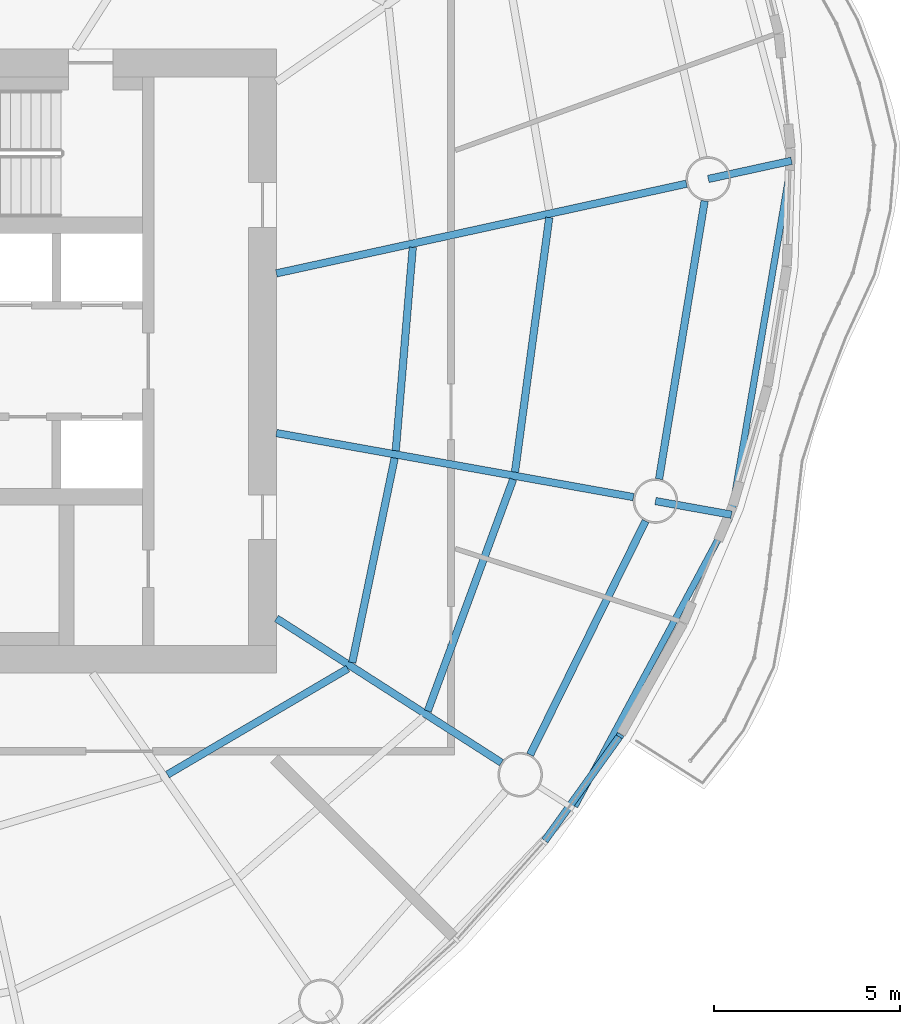
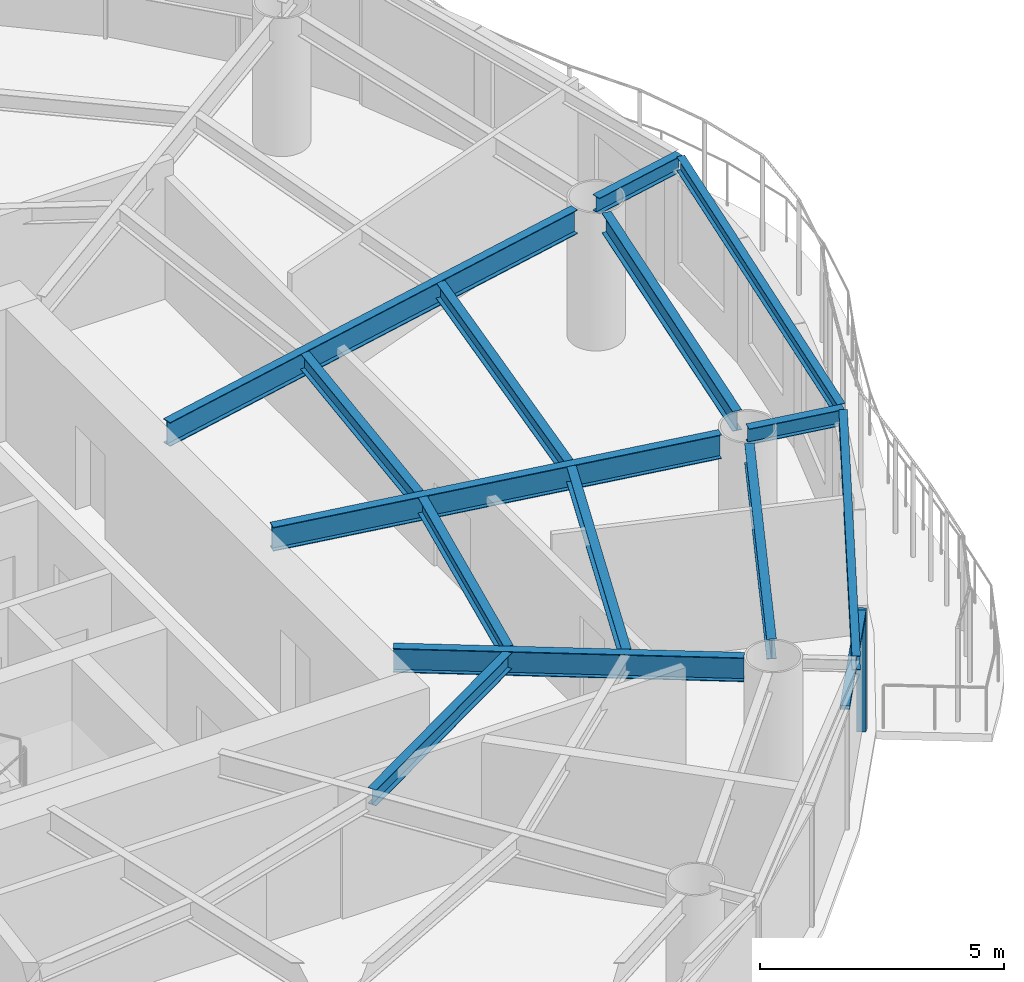
# One storey, part 4 of 14: 14 beams, 2 members, 1 element without a shape of its own.
"""IFC4 building model written with IfcOpenShell, lengths in metres."""

from ifc_helpers import new_model, si_unit, direction, frame, origin, origin_2d, place, context, subcontext, project, spatial, rectangle, i_section, extrude, material, material_profile, profile_set, type_object, element, aggregate, save


model = new_model("IFC4")

# Units and contexts
model_context = context("Model", 3, precision=1e-05, world=origin(), true_north=direction((0.0, 1.0)))
body_context = subcontext(model_context, "Body", "Model", "MODEL_VIEW")
ifc_project = project(units=[si_unit("LENGTHUNIT", "METRE"), si_unit("AREAUNIT", "SQUARE_METRE"), si_unit("VOLUMEUNIT", "CUBIC_METRE"), si_unit("PLANEANGLEUNIT", "RADIAN"), si_unit("MASSUNIT", "GRAM", prefix="KILO")], contexts=[model_context])

# Site, building, storey
site_placement = place(None, origin())
site = spatial("IfcSite", under=ifc_project, at=site_placement, CompositionType="ELEMENT")
building_placement = place(site_placement, origin())
building = spatial("IfcBuilding", under=site, at=building_placement, Name="Vermilion Reach Broadcast Tower", CompositionType="ELEMENT")
storey_placement = place(building_placement, frame((0.0, 0.0, 213.699951171875)))
storey = spatial("IfcBuildingStorey", under=building, at=storey_placement, Name="L52", CompositionType="ELEMENT", Elevation=213.699951171875)

# Beams
ifc_material_1 = material(Name="Steel S355J2", Category="steel")
ifc_material_profile_1 = material_profile(ifc_material_1, i_section(OverallWidth=0.175048828125, OverallDepth=0.35009765625, WebThickness=0.007080078125, FlangeThickness=0.010986328125, at=origin_2d()), Name="S355J2 HN 350x175x7x11")
ifc_profile_set_1 = profile_set([ifc_material_profile_1], Name="Steel S355J2")
beam_type_1 = type_object("IfcBeamType", Name="EB4 HN 350x175x7x11", PredefinedType="BEAM", material=ifc_profile_set_1)
beam_1_placement = place(storey_placement, frame((12.82958984375, -11.9853515625, 3.275146484375), z_axis=(0.473191983664, 0.880959333111, 0.0), x_axis=(-0.880959333111, 0.473191983664, 0.0)))
element("IfcBeam", 1, at=beam_1_placement, inside=storey, type_object=beam_type_1, Name="Edge beam EB4-13", PredefinedType="BEAM", context=body_context, shape_type="SweptSolid", body=[
    extrude(i_section(OverallWidth=0.175048828125, OverallDepth=0.35009765625, WebThickness=0.007080078125, FlangeThickness=0.010986328125, at=origin_2d()), origin(), (0.0, 0.0, 1.0), 8.806640625),
])
beam_2_placement = place(storey_placement, frame((17.0634765625, -4.03564453125, 3.275146484375), z_axis=(0.167513674991, 0.985869752397, 0.0), x_axis=(-0.985869752397, 0.167513674991, 0.0)))
element("IfcBeam", 2, at=beam_2_placement, inside=storey, type_object=beam_type_1, Name="Edge beam EB4-14", PredefinedType="BEAM", context=body_context, shape_type="SweptSolid", body=[
    extrude(i_section(OverallWidth=0.175048828125, OverallDepth=0.35009765625, WebThickness=0.007080078125, FlangeThickness=0.010986328125, at=origin_2d()), origin(), (0.0, 0.0, 1.0), 9.454345703125),
])
ifc_material_2 = material(Name="Steel S355J2", Category="steel")
ifc_material_profile_2 = material_profile(ifc_material_2, i_section(OverallWidth=0.199951171875, OverallDepth=0.60009765625, WebThickness=0.010986328125, FlangeThickness=0.01708984375, at=origin_2d()), Name="S355J2 HN 600x200x11x17")
ifc_profile_set_2 = profile_set([ifc_material_profile_2], Name="Steel S355J2")
beam_type_2 = type_object("IfcBeamType", Name="G4 HN 600x200x11x17", PredefinedType="BEAM", material=ifc_profile_set_2)
beam_3_placement = place(storey_placement, frame((4.800048828125, -6.925537109375, 3.150146484375), z_axis=(0.841798504642, -0.539791883584, 0.0), x_axis=(0.539791883584, 0.841798504642, 0.0)))
element("IfcBeam", 3, at=beam_3_placement, inside=storey, type_object=beam_type_2, Name="Girder G4-13", PredefinedType="BEAM", context=body_context, shape_type="SweptSolid", body=[
    extrude(i_section(OverallWidth=0.199951171875, OverallDepth=0.60009765625, WebThickness=0.010986328125, FlangeThickness=0.01708984375, at=origin_2d()), origin(), (0.0, 0.0, 1.0), 7.1962890625),
])
beam_4_placement = place(storey_placement, frame((4.800048828125, -1.9375, 3.150146484375), z_axis=(0.984291153273, -0.176552897422, 0.0), x_axis=(0.176552897422, 0.984291153273, 0.0)))
element("IfcBeam", 4, at=beam_4_placement, inside=storey, type_object=beam_type_2, Name="Girder G4-14", PredefinedType="BEAM", context=body_context, shape_type="SweptSolid", body=[
    extrude(i_section(OverallWidth=0.199951171875, OverallDepth=0.60009765625, WebThickness=0.010986328125, FlangeThickness=0.01708984375, at=origin_2d()), origin(), (0.0, 0.0, 1.0), 9.765380859375),
])
beam_5_placement = place(storey_placement, frame((4.800048828125, 2.360595703125, 3.150146484375), z_axis=(0.976930175286, 0.213558967537, 0.0), x_axis=(-0.213558967537, 0.976930175286, 0.0)))
element("IfcBeam", 5, at=beam_5_placement, inside=storey, type_object=beam_type_2, Name="Girder G4-15", PredefinedType="BEAM", context=body_context, shape_type="SweptSolid", body=[
    extrude(i_section(OverallWidth=0.199951171875, OverallDepth=0.60009765625, WebThickness=0.010986328125, FlangeThickness=0.01708984375, at=origin_2d()), origin(), (0.0, 0.0, 1.0), 11.29833984375),
])
ifc_material_3 = material(Name="Steel S355J2", Category="steel")
ifc_material_profile_3 = material_profile(ifc_material_3, i_section(OverallWidth=0.199951171875, OverallDepth=0.39990234375, WebThickness=0.008056640625, FlangeThickness=0.012939453125, at=origin_2d()), Name="S355J2 HN 400x200x8x13")
ifc_profile_set_3 = profile_set([ifc_material_profile_3], Name="Steel S355J2")
beam_type_3 = type_object("IfcBeamType", Name="GC4 HN 400x200x8x13", PredefinedType="BEAM", material=ifc_profile_set_3)
beam_6_placement = place(storey_placement, frame((15.002685546875, -3.767578125, 3.25), z_axis=(0.984284833043, -0.176588129387, 0.0), x_axis=(0.176588129387, 0.984284833043, 0.0)))
element("IfcBeam", 6, at=beam_6_placement, inside=storey, type_object=beam_type_3, Name="Cantilever girder GC4-14", PredefinedType="BEAM", context=body_context, shape_type="SweptSolid", body=[
    extrude(i_section(OverallWidth=0.199951171875, OverallDepth=0.39990234375, WebThickness=0.008056640625, FlangeThickness=0.012939453125, at=origin_2d()), origin(), (0.0, 0.0, 1.0), 2.07666015625),
])
beam_7_placement = place(storey_placement, frame((16.423828125, 4.9013671875, 3.25), z_axis=(0.97692985758, 0.213560420887, 0.0), x_axis=(-0.213560420887, 0.97692985758, 0.0)))
element("IfcBeam", 7, at=beam_7_placement, inside=storey, type_object=beam_type_3, Name="Cantilever girder GC4-15", PredefinedType="BEAM", context=body_context, shape_type="SweptSolid", body=[
    extrude(i_section(OverallWidth=0.199951171875, OverallDepth=0.39990234375, WebThickness=0.008056640625, FlangeThickness=0.012939453125, at=origin_2d()), origin(), (0.0, 0.0, 1.0), 2.29443359375),
])
ifc_material_4 = material(Name="Steel S355J2", Category="steel")
ifc_material_profile_4 = material_profile(ifc_material_4, i_section(OverallWidth=0.199951171875, OverallDepth=0.5, WebThickness=0.010009765625, FlangeThickness=0.01611328125, at=origin_2d()), Name="S355J2 HN 500x200x10x16")
ifc_profile_set_4 = profile_set([ifc_material_profile_4], Name="Steel S355J2")
beam_type_4 = type_object("IfcBeamType", Name="RB4 HN 500x200x10x16", PredefinedType="BEAM", material=ifc_profile_set_4)
beam_8_placement = place(storey_placement, frame((11.628662109375, -10.595947265625, 3.199951171875), z_axis=(0.442977497199, 0.896532730566, 0.0), x_axis=(-0.896532730566, 0.442977497199, 0.0)))
element("IfcBeam", 8, at=beam_8_placement, inside=storey, type_object=beam_type_4, Name="Ring beam RB4-13", PredefinedType="BEAM", context=body_context, shape_type="SweptSolid", body=[
    extrude(i_section(OverallWidth=0.199951171875, OverallDepth=0.5, WebThickness=0.010009765625, FlangeThickness=0.01611328125, at=origin_2d()), origin(), (0.0, 0.0, 1.0), 7.0166015625),
])
beam_9_placement = place(storey_placement, frame((15.099609375, -3.175537109375, 3.199951171875), z_axis=(0.161778110263, 0.986827159659, 0.0), x_axis=(-0.986827159659, 0.161778110263, 0.0)))
element("IfcBeam", 9, at=beam_9_placement, inside=storey, type_object=beam_type_4, Name="Ring beam RB4-14", PredefinedType="BEAM", context=body_context, shape_type="SweptSolid", body=[
    extrude(i_section(OverallWidth=0.199951171875, OverallDepth=0.5, WebThickness=0.010009765625, FlangeThickness=0.01611328125, at=origin_2d()), origin(), (0.0, 0.0, 1.0), 7.584716796875),
])
ifc_material_5 = material(Name="Steel S355J2", Category="steel")
ifc_material_profile_5 = material_profile(ifc_material_5, i_section(OverallWidth=0.199951171875, OverallDepth=0.39990234375, WebThickness=0.008056640625, FlangeThickness=0.012939453125, at=origin_2d()), Name="S355J2 HN 400x200x8x13")
ifc_profile_set_5 = profile_set([ifc_material_profile_5], Name="Steel S355J2")
beam_type_5 = type_object("IfcBeamType", Name="SB4 HN 400x200x8x13", PredefinedType="BEAM", material=ifc_profile_set_5)
beam_10_placement = place(storey_placement, frame((1.866455078125, -11.130615234375, 3.25), z_axis=(0.862172572268, 0.506614701356, 0.0), x_axis=(-0.506614701356, 0.862172572268, 0.0)))
element("IfcBeam", 10, at=beam_10_placement, inside=storey, type_object=beam_type_5, Name="Secondary beam SB4-12-1", PredefinedType="BEAM", context=body_context, shape_type="SweptSolid", body=[
    extrude(i_section(OverallWidth=0.199951171875, OverallDepth=0.39990234375, WebThickness=0.008056640625, FlangeThickness=0.012939453125, at=origin_2d()), origin(), (0.0, 0.0, 1.0), 5.632568359375),
])
beam_11_placement = place(storey_placement, frame((6.841064453125, -8.115478515625, 3.25), z_axis=(0.20320860258, 0.979135467562, 0.0), x_axis=(-0.979135467562, 0.20320860258, 0.0)))
element("IfcBeam", 11, at=beam_11_placement, inside=storey, type_object=beam_type_5, Name="Secondary beam SB4-13-1", PredefinedType="BEAM", context=body_context, shape_type="SweptSolid", body=[
    extrude(i_section(OverallWidth=0.199951171875, OverallDepth=0.39990234375, WebThickness=0.008056640625, FlangeThickness=0.012939453125, at=origin_2d()), origin(), (0.0, 0.0, 1.0), 5.622802734375),
])
beam_12_placement = place(storey_placement, frame((8.8740234375, -9.419189453125, 3.25), z_axis=(0.345833008621, 0.938296078084, 0.0), x_axis=(-0.938296078084, 0.345833008621, 0.0)))
element("IfcBeam", 12, at=beam_12_placement, inside=storey, type_object=beam_type_5, Name="Secondary beam SB4-13-2", PredefinedType="BEAM", context=body_context, shape_type="SweptSolid", body=[
    extrude(i_section(OverallWidth=0.199951171875, OverallDepth=0.39990234375, WebThickness=0.008056640625, FlangeThickness=0.012939453125, at=origin_2d()), origin(), (0.0, 0.0, 1.0), 6.647216796875),
])
beam_13_placement = place(storey_placement, frame((8.012451171875, -2.412109375, 3.25), z_axis=(0.08339866655, 0.996516262997, 0.0), x_axis=(-0.996516262997, 0.08339866655, 0.0)))
element("IfcBeam", 13, at=beam_13_placement, inside=storey, type_object=beam_type_5, Name="Secondary beam SB4-14-1", PredefinedType="BEAM", context=body_context, shape_type="SweptSolid", body=[
    extrude(i_section(OverallWidth=0.199951171875, OverallDepth=0.39990234375, WebThickness=0.008056640625, FlangeThickness=0.012939453125, at=origin_2d()), origin(), (0.0, 0.0, 1.0), 5.49169921875),
])
beam_14_placement = place(storey_placement, frame((11.221435546875, -2.98779296875, 3.25), z_axis=(0.133486718782, 0.991050602093, 0.0), x_axis=(-0.991050602093, 0.133486718782, 0.0)))
element("IfcBeam", 14, at=beam_14_placement, inside=storey, type_object=beam_type_5, Name="Secondary beam SB4-14-2", PredefinedType="BEAM", context=body_context, shape_type="SweptSolid", body=[
    extrude(i_section(OverallWidth=0.199951171875, OverallDepth=0.39990234375, WebThickness=0.008056640625, FlangeThickness=0.012939453125, at=origin_2d()), origin(), (0.0, 0.0, 1.0), 6.913330078125),
])

# Curtain wall, members
ifc_material_6 = material(Name="Low-e laminated clear glass in aluminium frame", Category="aluminium")
curtain_wall_type = type_object("IfcCurtainWallType", Name="Slot curtain wall", PredefinedType="NOTDEFINED", material=ifc_material_6)
curtain_wall_placement = place(storey_placement, origin())
curtain_wall = element("IfcCurtainWall", 15, at=curtain_wall_placement, inside=storey, type_object=curtain_wall_type, Name="Slot curtain wall L52 37", PredefinedType="NOTDEFINED")
ifc_material_7 = material(Name="Anodised aluminium", Category="aluminium")
ifc_material_profile_6 = material_profile(ifc_material_7, rectangle(XDim=0.199951171875, YDim=0.080078125, at=origin_2d()), Name="Slot mullion 80 x 200")
ifc_profile_set_6 = profile_set([ifc_material_profile_6], Name="Anodised aluminium")
member_type_1 = type_object("IfcMemberType", Name="Slot mullion 80 x 200", PredefinedType="MULLION", material=ifc_profile_set_6)
member_1_placement = place(storey_placement, frame((14.050048828125, -10.08251953125, 0.0), z_axis=(0.0, 0.0, 1.0), x_axis=(-0.843588248738, 0.536990564714, 0.0)))
member_1 = element("IfcMember", 16, at=member_1_placement, type_object=member_type_1, Name="Slot mullion L52 38", PredefinedType="MULLION", context=body_context, shape_type="SweptSolid", body=[
    extrude(rectangle(XDim=0.199951171875, YDim=0.080078125, at=origin_2d()), origin(), (0.0, 0.0, 1.0), 3.050048828125),
])
ifc_material_8 = material(Name="Anodised aluminium", Category="aluminium")
ifc_material_profile_7 = material_profile(ifc_material_8, rectangle(XDim=0.199951171875, YDim=0.10009765625, at=origin_2d()), Name="Slot transom 200 x 100")
ifc_profile_set_7 = profile_set([ifc_material_profile_7], Name="Anodised aluminium")
member_type_2 = type_object("IfcMemberType", Name="Slot transom 200 x 100", PredefinedType="USERDEFINED", material=ifc_profile_set_7)
member_2_placement = place(storey_placement, frame((12.02490234375, -12.908935546875, 3.0), z_axis=(0.582400047053, 0.812902322049, 0.0), x_axis=(-0.812902322049, 0.582400047053, 0.0)))
member_2 = element("IfcMember", 17, at=member_2_placement, type_object=member_type_2, Name="Slot transom L52 37.1", ObjectType="TRANSOM", PredefinedType="USERDEFINED", context=body_context, shape_type="SweptSolid", body=[
    extrude(rectangle(XDim=0.199951171875, YDim=0.10009765625, at=origin_2d()), origin(), (0.0, 0.0, 1.0), 3.43701171875),
])
aggregate(curtain_wall, [member_1, member_2])

save(model, "model.ifc")
